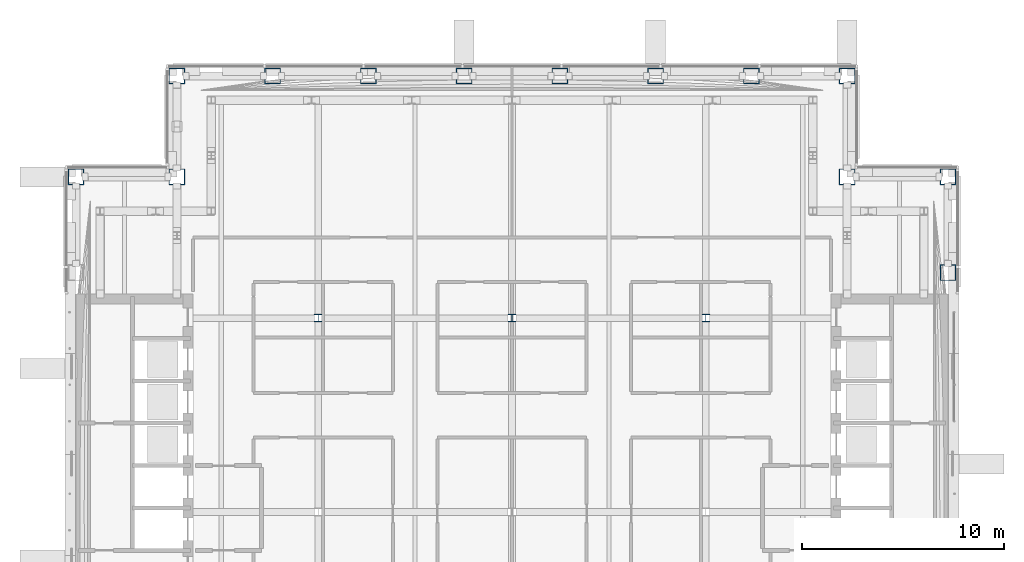
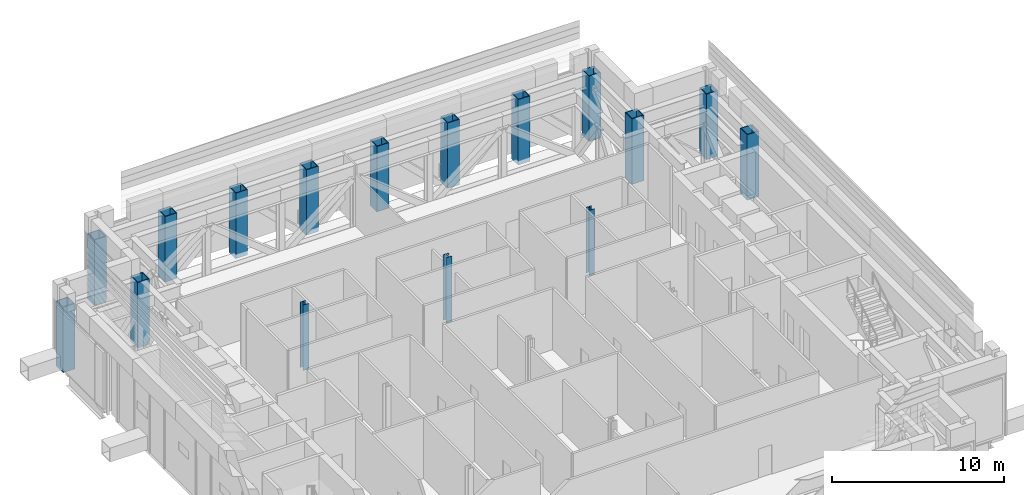
# One storey, part 2 of 29: 16 columns.
"""IFC4 building model written with IfcOpenShell, lengths in metres."""

import ifcopenshell
import ifcopenshell.guid

model = None  # the IFC model being written
_history = None  # IfcOwnerHistory: only IFC2X3 demands one
_inside = {}  # id of a spatial element -> (the spatial element, [elements in it])
_under = {}  # id of a project, library or spatial element -> (it, [spatial elements below it])
_declared = {}  # id of a project -> (the project, [libraries it declares])
_typed = {}  # id of a type object -> (the type object, [elements of that type])
_made_of = {}  # id of a material, layer set ... -> (it, [elements and type objects made of it])


def new_model(schema):
    """Start an empty IFC model of exactly this schema.

    Asked for "IFC4X3", IfcOpenShell would pick the latest addendum, in which some entities
    have other attributes; the version numbers below select the first issue.
    IFC2X3 requires an IfcOwnerHistory on every rooted entity: one is made here for all.
    """
    global model, _history
    if schema == "IFC4X3":
        model = ifcopenshell.file(schema_version=(4, 3, 0, 0))
    else:
        model = ifcopenshell.file(schema=schema)
    _inside.clear()
    _under.clear()
    _declared.clear()
    _typed.clear()
    _made_of.clear()
    _history = None
    if model.schema == "IFC2X3":
        org = make("IfcOrganization", Name="unknown")
        user = make(
            "IfcPersonAndOrganization",
            ThePerson=make("IfcPerson", FamilyName="unknown"),
            TheOrganization=org,
        )
        app = make(
            "IfcApplication",
            ApplicationDeveloper=org,
            Version="unknown",
            ApplicationFullName="unknown",
            ApplicationIdentifier="unknown",
        )
        _history = make(
            "IfcOwnerHistory",
            OwningUser=user,
            OwningApplication=app,
            ChangeAction="ADDED",
            CreationDate=0,
        )
    return model


def make(cls, **values):
    """One entity of the class cls with the attributes given. An attribute that is None is left unset."""
    return model.create_entity(
        cls, **{name: value for name, value in values.items() if value is not None}
    )


def rooted(cls, **values):
    """An entity with a GlobalId (a new one), such as an element, a storey or a relation."""
    return make(cls, GlobalId=ifcopenshell.guid.new(), OwnerHistory=_history, **values)


def si_unit(unit_type, name, prefix=None):
    """IfcSIUnit, for example si_unit("LENGTHUNIT", "METRE", prefix="MILLI")."""
    return make("IfcSIUnit", UnitType=unit_type, Prefix=prefix, Name=name)


def assignment(units):
    """IfcUnitAssignment: the units of a project."""
    return None if units is None else make("IfcUnitAssignment", Units=units)


def point(xyz):
    """IfcCartesianPoint."""
    return None if xyz is None else make("IfcCartesianPoint", Coordinates=xyz)


def direction(xyz):
    """IfcDirection."""
    return None if xyz is None else make("IfcDirection", DirectionRatios=xyz)


def frame(location, z_axis=None, x_axis=None):
    """IfcAxis2Placement3D, a coordinate frame: its origin and axes. An axis left out is left unset."""
    return make(
        "IfcAxis2Placement3D",
        Location=point(location),
        Axis=direction(z_axis),
        RefDirection=direction(x_axis),
    )


def frame_2d(location, x_axis=None):
    """IfcAxis2Placement2D, a coordinate frame in the plane: its origin and x axis."""
    return make(
        "IfcAxis2Placement2D", Location=point(location), RefDirection=direction(x_axis)
    )


def origin():
    """The frame at (0, 0, 0) with its axes left unset."""
    return frame((0.0, 0.0, 0.0))


def origin_2d():
    """The frame at (0, 0) in the plane with its x axis left unset."""
    return frame_2d((0.0, 0.0))


def place(relative_to, where):
    """IfcLocalPlacement: puts the frame where relative to a parent placement (None: the world)."""
    return make(
        "IfcLocalPlacement", PlacementRelTo=relative_to, RelativePlacement=where
    )


def context(
    kind, dimensions, precision=None, world=None, true_north=None, identifier=None
):
    """IfcGeometricRepresentationContext, for example the 3D "Model" context."""
    return make(
        "IfcGeometricRepresentationContext",
        ContextIdentifier=identifier,
        ContextType=kind,
        CoordinateSpaceDimension=dimensions,
        Precision=precision,
        WorldCoordinateSystem=world,
        TrueNorth=true_north,
    )


def subcontext(parent, identifier, kind, view, scale=None):
    """IfcGeometricRepresentationSubContext, for example "Body" below "Model"."""
    return make(
        "IfcGeometricRepresentationSubContext",
        ContextIdentifier=identifier,
        ContextType=kind,
        ParentContext=parent,
        TargetScale=scale,
        TargetView=view,
    )


def project(units=None, contexts=None):
    """IfcProject with its units and contexts."""
    return rooted(
        "IfcProject",
        Name="project",
        RepresentationContexts=contexts,
        UnitsInContext=assignment(units),
    )


def spatial(cls, under=None, at=None, **own):
    """A site, building, storey or space (cls), placed at a placement, below another one or the project."""
    s = rooted(cls, ObjectPlacement=at, **own)
    if under is not None:
        _under.setdefault(under.id(), (under, []))[1].append(s)
    return s


def profile(cls, at=None, kind="AREA", **sizes):
    """A parametric profile (cls). Its sizes go by their IFC names, for example OverallWidth=200.0."""
    return make(cls, ProfileType=kind, Position=at, **sizes)


def hollow_rectangle(**sizes):
    """IfcRectangleHollowProfileDef."""
    return profile("IfcRectangleHollowProfileDef", **sizes)


def i_section(**sizes):
    """IfcIShapeProfileDef."""
    return profile("IfcIShapeProfileDef", **sizes)


def extrude(swept, where, along, depth):
    """IfcExtrudedAreaSolid: the profile swept, set in the frame where, extruded along a direction by depth."""
    return make(
        "IfcExtrudedAreaSolid",
        SweptArea=swept,
        Position=where,
        ExtrudedDirection=direction(along),
        Depth=depth,
    )


def shape(context_of_items, identifier, shape_type, items):
    """IfcShapeRepresentation: the items that make up one representation, for example the "Body"."""
    return make(
        "IfcShapeRepresentation",
        ContextOfItems=context_of_items,
        RepresentationIdentifier=identifier,
        RepresentationType=shape_type,
        Items=items,
    )


def material(Name=None, Category=None):
    """IfcMaterial."""
    return make("IfcMaterial", Name=Name, Category=Category)


def material_profile(
    of_material, cross_section, Name=None, Category=None, Priority=None
):
    """IfcMaterialProfile: a cross section and its material."""
    return make(
        "IfcMaterialProfile",
        Name=Name,
        Material=of_material,
        Profile=cross_section,
        Priority=Priority,
        Category=Category,
    )


def profile_set(profiles, Name=None, composite=None):
    """IfcMaterialProfileSet."""
    return make(
        "IfcMaterialProfileSet",
        Name=Name,
        MaterialProfiles=profiles,
        CompositeProfile=composite,
    )


def made_of(thing, what):
    """Note that an element or type object is made of a material, layer set ...; save() writes the relation."""
    if what is not None:
        _made_of.setdefault(what.id(), (what, []))[1].append(thing)
    return thing


def type_object(cls, material=None, **own):
    """A type object (cls), such as IfcWallType, which elements share."""
    return made_of(rooted(cls, **own), material)


def element(
    cls,
    number,
    at=None,
    inside=None,
    cuts=None,
    type_object=None,
    material=None,
    context=None,
    identifier="Body",
    shape_type=None,
    held_by="IfcProductDefinitionShape",
    body=None,
    shapes=None,
    **own,
):
    """One element of the class cls, such as IfcWall. Its Tag is "e" and its number.

    at: its placement. inside: the storey or other place that contains it. cuts: it is an
    opening in that element (IfcRelVoidsElement). A single representation is given by context,
    identifier, shape_type and body (its items); several are given by shapes. held_by: the class
    of the entity that holds the representations. save() writes the other relations.
    """
    e = rooted(cls, Tag="e%d" % number, ObjectPlacement=at, **own)
    if body is not None:
        shapes = [shape(context, identifier, shape_type, body)]
    if shapes is not None:
        e.Representation = make(held_by, Representations=shapes)
    if inside is not None:
        _inside.setdefault(inside.id(), (inside, []))[1].append(e)
    if cuts is not None:
        rooted(
            "IfcRelVoidsElement", RelatingBuildingElement=cuts, RelatedOpeningElement=e
        )
    if type_object is not None:
        _typed.setdefault(type_object.id(), (type_object, []))[1].append(e)
    return made_of(e, material)


def aggregate(whole, parts):
    """IfcRelAggregates: a whole, such as a stair, and the parts it consists of."""
    return rooted("IfcRelAggregates", RelatingObject=whole, RelatedObjects=parts)


def save(model, path):
    """Write the relations noted so far, then the file.

    IfcRelAggregates (storeys below a building ...), IfcRelContainedInSpatialStructure (elements
    in a storey), IfcRelDefinesByType, IfcRelAssociatesMaterial and IfcRelDeclares: one each for
    every whole, place, type object, material and project.
    """
    for whole, parts in _under.values():
        aggregate(whole, parts)
    for where, things in _inside.values():
        rooted(
            "IfcRelContainedInSpatialStructure",
            RelatedElements=things,
            RelatingStructure=where,
        )
    for kind, things in _typed.values():
        rooted("IfcRelDefinesByType", RelatedObjects=things, RelatingType=kind)
    for what, things in _made_of.values():
        rooted("IfcRelAssociatesMaterial", RelatedObjects=things, RelatingMaterial=what)
    for by, libraries in _declared.values():
        rooted("IfcRelDeclares", RelatingContext=by, RelatedDefinitions=libraries)
    model.write(path)


model = new_model("IFC4")

# Units and contexts
model_context = context("Model", 3, precision=1e-05, world=origin(), true_north=direction((0.0, 1.0)))
body_context = subcontext(model_context, "Body", "Model", "MODEL_VIEW")
ifc_project = project(units=[si_unit("LENGTHUNIT", "METRE"), si_unit("AREAUNIT", "SQUARE_METRE"), si_unit("VOLUMEUNIT", "CUBIC_METRE"), si_unit("PLANEANGLEUNIT", "RADIAN"), si_unit("MASSUNIT", "GRAM", prefix="KILO")], contexts=[model_context])

# Site, building, storey
site_placement = place(None, origin())
site = spatial("IfcSite", under=ifc_project, at=site_placement, CompositionType="ELEMENT")
building_placement = place(site_placement, origin())
building = spatial("IfcBuilding", under=site, at=building_placement, Name="Cobrizo Arcos Hotel Tower", CompositionType="ELEMENT")
storey_placement = place(building_placement, frame((0.0, 0.0, 186.5)))
storey = spatial("IfcBuildingStorey", under=building, at=storey_placement, Name="L48", CompositionType="ELEMENT", Elevation=186.5)

# Columns
ifc_material_1 = material(Name="Steel ASTM A572 Grade 50", Category="steel")
ifc_material_profile_1 = material_profile(ifc_material_1, hollow_rectangle(XDim=0.800048828125, YDim=0.800048828125, WallThickness=0.044921875, at=origin_2d()), Name="BOX 800X800X45")
ifc_profile_set_1 = profile_set([ifc_material_profile_1], Name="Steel ASTM A572 Grade 50")
column_type_1 = type_object("IfcColumnType", Name="BOX 800X800X45 column", PredefinedType="COLUMN", material=ifc_profile_set_1)
for number, where, z_axis, x_axis, name in (
    (1, (-16.60009765625, 21.60009765625, -0.300048828125), (0.0, 0.0, 1.0), (1.0, 0.0, 0.0), "Perimeter column C8, L48, no. 00"),
    (2, (-11.85693359375, 21.60009765625, -0.300048828125), (0.0, 0.0, 1.0), (1.0, 0.0, 0.0), "Perimeter column C8, L48, no. 02"),
    (3, (-7.114013671875, 21.60009765625, -0.300048828125), (0.0, 0.0, 1.0), (1.0, 0.0, 0.0), "Perimeter column C8, L48, no. 04"),
    (4, (-2.37109375, 21.60009765625, -0.300048828125), (0.0, 0.0, 1.0), (1.0, 0.0, 0.0), "Perimeter column C8, L48, no. 06"),
    (5, (2.37109375, 21.60009765625, -0.300048828125), (0.0, 0.0, 1.0), (1.0, 0.0, 0.0), "Perimeter column C8, L48, no. 08"),
    (6, (7.114013671875, 21.60009765625, -0.300048828125), (0.0, 0.0, 1.0), (1.0, 0.0, 0.0), "Perimeter column C8, L48, no. 10"),
    (7, (11.85693359375, 21.60009765625, -0.300048828125), (0.0, 0.0, 1.0), (1.0, 0.0, 0.0), "Perimeter column C8, L48, no. 12"),
    (8, (16.60009765625, 21.60009765625, -0.300048828125), (0.0, 0.0, 1.0), (1.0, 0.0, 0.0), "Perimeter column C8, L48, no. 14"),
    (9, (21.60009765625, 11.85693359375, -0.300048828125), (0.0, 0.0, 1.0), (1.0, 0.0, 0.0), "Perimeter column C8, L48, no. 20"),
    (10, (21.60009765625, 16.60009765625, -0.300048828125), (0.0, 0.0, 1.0), (1.0, 0.0, 0.0), "Perimeter column C8, L48, no. 22"),
    (11, (-21.60009765625, 16.60009765625, -0.300048828125), (0.0, 0.0, 1.0), (1.0, 0.0, 0.0), "Perimeter column C8, L48, no. 23"),
    (12, (-16.60009765625, 16.60009765625, -0.300048828125), (0.0, 0.0, 1.0), (1.0, 0.0, 0.0), "Perimeter column C8, L48, no. 25"),
    (13, (16.60009765625, 16.60009765625, -0.300048828125), (0.0, 0.0, 1.0), (1.0, 0.0, 0.0), "Perimeter column C8, L48, no. 27"),
):
    element("IfcColumn", number, at=place(storey_placement, frame(where, z_axis=z_axis, x_axis=x_axis)), inside=storey, type_object=column_type_1, Name=name, PredefinedType="COLUMN", context=body_context, shape_type="SweptSolid", body=[
        extrude(hollow_rectangle(XDim=0.800048828125, YDim=0.800048828125, WallThickness=0.044921875, at=origin_2d()), origin(), (0.0, 0.0, 1.0), 4.650146484375),
    ])
ifc_material_2 = material(Name="Steel ASTM A992 Grade 50", Category="steel")
ifc_material_profile_2 = material_profile(ifc_material_2, i_section(OverallWidth=0.373291015625, OverallDepth=0.373291015625, WebThickness=0.016357421875, FlangeThickness=0.026123046875, at=origin_2d()), Name="W14X132")
ifc_profile_set_2 = profile_set([ifc_material_profile_2], Name="Steel ASTM A992 Grade 50")
column_type_2 = type_object("IfcColumnType", Name="W14X132 interior column", PredefinedType="COLUMN", material=ifc_profile_set_2)
for number, where, z_axis, x_axis, name in (
    (14, (-9.60009765625, 9.60009765625, -0.300048828125), (0.0, 0.0, 1.0), (1.0, 0.0, 0.0), "Interior column C9, L48, no. 02"),
    (15, (0.0, 9.60009765625, -0.300048828125), (0.0, 0.0, 1.0), (1.0, 0.0, 0.0), "Interior column C9, L48, no. 05"),
    (16, (9.60009765625, 9.60009765625, -0.300048828125), (0.0, 0.0, 1.0), (1.0, 0.0, 0.0), "Interior column C9, L48, no. 08"),
):
    element("IfcColumn", number, at=place(storey_placement, frame(where, z_axis=z_axis, x_axis=x_axis)), inside=storey, type_object=column_type_2, Name=name, PredefinedType="COLUMN", context=body_context, shape_type="SweptSolid", body=[
        extrude(i_section(OverallWidth=0.373291015625, OverallDepth=0.373291015625, WebThickness=0.016357421875, FlangeThickness=0.026123046875, at=origin_2d()), origin(), (0.0, 0.0, 1.0), 4.650146484375),
    ])

save(model, "model.ifc")
